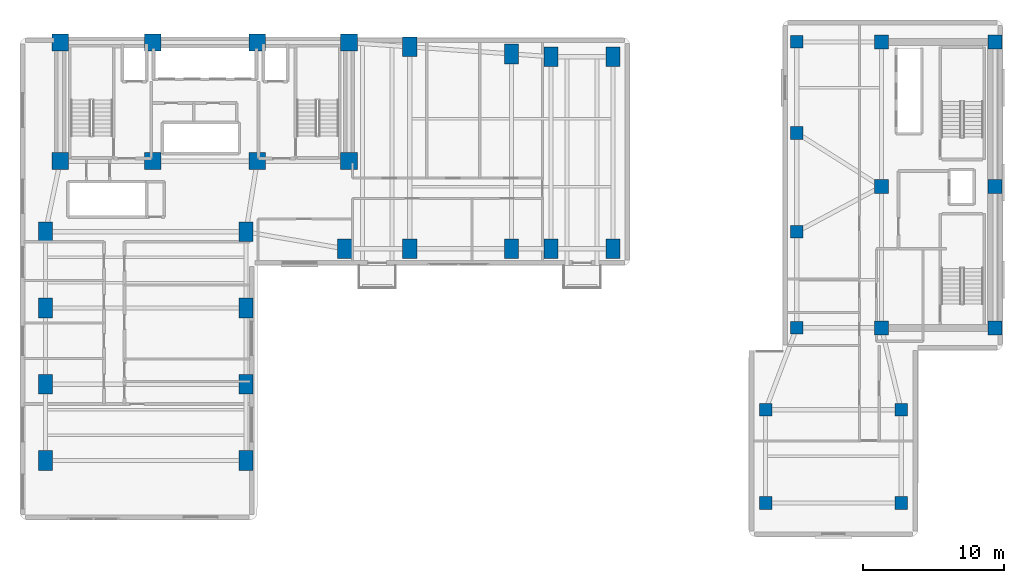
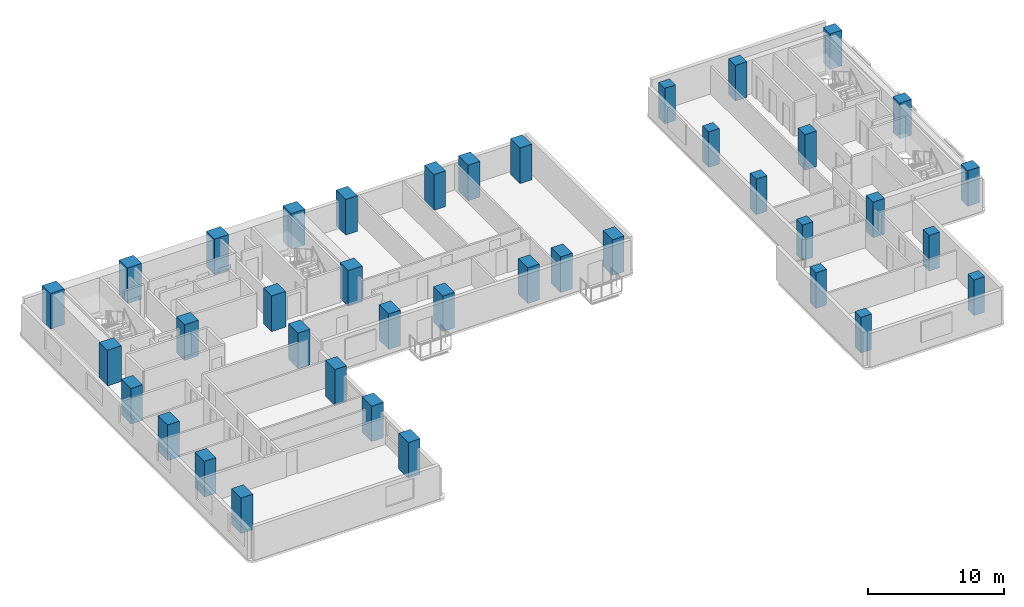
# One storey, part 1 of 14: 39 columns.
"""IFC4 building model written with IfcOpenShell, lengths in metres."""

from ifc_helpers import new_model, si_unit, direction, frame, origin, origin_2d, place, context, subcontext, project, spatial, rectangle, extrude, material, material_profile, profile_set, type_object, element, save


model = new_model("IFC4")

# Units and contexts
model_context = context("Model", 3, precision=1e-05, world=origin(), true_north=direction((0.0, 1.0)))
body_context = subcontext(model_context, "Body", "Model", "MODEL_VIEW")
ifc_project = project(units=[si_unit("LENGTHUNIT", "METRE"), si_unit("AREAUNIT", "SQUARE_METRE"), si_unit("VOLUMEUNIT", "CUBIC_METRE"), si_unit("PLANEANGLEUNIT", "RADIAN"), si_unit("MASSUNIT", "GRAM", prefix="KILO")], contexts=[model_context])

# Site, building, storey
site_placement = place(None, origin())
site = spatial("IfcSite", under=ifc_project, at=site_placement, CompositionType="ELEMENT")
building_placement = place(site_placement, origin())
building = spatial("IfcBuilding", under=site, at=building_placement, Name="Kuzgunbayir Cultural Tower", CompositionType="ELEMENT")
storey_placement = place(building_placement, frame((0.0, 0.0, 62.800048828125)))
storey = spatial("IfcBuildingStorey", under=building, at=storey_placement, Name="L17", CompositionType="ELEMENT", Elevation=62.800048828125)

# Columns
ifc_material = material(Name="Concrete C60/75", Category="concrete")
ifc_material_profile_1 = material_profile(ifc_material, rectangle(XDim=1.199951171875, YDim=1.199951171875, at=origin_2d()), Name="RC 1200x1200")
ifc_profile_set_1 = profile_set([ifc_material_profile_1], Name="Concrete C60/75")
column_type_1 = type_object("IfcColumnType", Name="COL-CORE-1200", PredefinedType="COLUMN", material=ifc_profile_set_1)
for number, where, z_axis, x_axis, name in (
    (1, (6.449951171875, 33.800048828125, 0.0), (0.0, 0.0, 1.0), (1.0, 0.0, 0.0), "L17 T1 Core Boundary Column CC1-1"),
    (2, (13.0, 33.800048828125, 0.0), (0.0, 0.0, 1.0), (1.0, 0.0, 0.0), "L17 T1 Core Boundary Column CC1-2"),
    (3, (20.39990234375, 33.800048828125, 0.0), (0.0, 0.0, 1.0), (1.0, 0.0, 0.0), "L17 T1 Core Boundary Column CC1-3"),
    (4, (26.89990234375, 33.800048828125, 0.0), (0.0, 0.0, 1.0), (1.0, 0.0, 0.0), "L17 T1 Core Boundary Column CC1-4"),
    (5, (6.449951171875, 42.199951171875, 0.0), (0.0, 0.0, 1.0), (1.0, 0.0, 0.0), "L17 T1 Core Boundary Column CC1-5"),
    (6, (13.0, 42.199951171875, 0.0), (0.0, 0.0, 1.0), (1.0, 0.0, 0.0), "L17 T1 Core Boundary Column CC1-6"),
    (7, (20.39990234375, 42.199951171875, 0.0), (0.0, 0.0, 1.0), (1.0, 0.0, 0.0), "L17 T1 Core Boundary Column CC1-7"),
    (8, (26.89990234375, 42.199951171875, 0.0), (0.0, 0.0, 1.0), (1.0, 0.0, 0.0), "L17 T1 Core Boundary Column CC1-8"),
):
    element("IfcColumn", number, at=place(storey_placement, frame(where, z_axis=z_axis, x_axis=x_axis)), inside=storey, type_object=column_type_1, Name=name, PredefinedType="COLUMN", context=body_context, shape_type="SweptSolid", body=[
        extrude(rectangle(XDim=1.199951171875, YDim=1.199951171875, at=origin_2d()), origin(), (0.0, 0.0, 1.0), 3.199951171875),
    ])
ifc_material_profile_2 = material_profile(ifc_material, rectangle(XDim=1.0, YDim=1.39990234375, at=origin_2d()), Name="RC 1400x1000")
ifc_profile_set_2 = profile_set([ifc_material_profile_2], Name="Concrete C60/75")
column_type_2 = type_object("IfcColumnType", Name="COL-T1-1400x1000", PredefinedType="COLUMN", material=ifc_profile_set_2)
for number, where, z_axis, x_axis, name in (
    (9, (5.39990234375, 12.60009765625, 0.0), (0.0, 0.0, 1.0), (1.0, 0.0, 0.0), "L17 Tower 1 Wing A Column T1A-W-1"),
    (10, (19.60009765625, 12.60009765625, 0.0), (0.0, 0.0, 1.0), (1.0, 0.0, 0.0), "L17 Tower 1 Wing A Column T1A-E-1"),
    (11, (5.39990234375, 18.0, 0.0), (0.0, 0.0, 1.0), (1.0, 0.0, 0.0), "L17 Tower 1 Wing A Column T1A-W-2"),
    (12, (19.60009765625, 18.0, 0.0), (0.0, 0.0, 1.0), (1.0, 0.0, 0.0), "L17 Tower 1 Wing A Column T1A-E-2"),
    (13, (5.39990234375, 23.39990234375, 0.0), (0.0, 0.0, 1.0), (1.0, 0.0, 0.0), "L17 Tower 1 Wing A Column T1A-W-3"),
    (14, (19.60009765625, 23.39990234375, 0.0), (0.0, 0.0, 1.0), (1.0, 0.0, 0.0), "L17 Tower 1 Wing A Column T1A-E-3"),
    (15, (5.39990234375, 28.800048828125, 0.0), (0.0, 0.0, 1.0), (1.0, 0.0, 0.0), "L17 Tower 1 Wing A Column T1A-W-4"),
    (16, (19.60009765625, 28.800048828125, 0.0), (0.0, 0.0, 1.0), (1.0, 0.0, 0.0), "L17 Tower 1 Wing A Column T1A-E-4"),
    (17, (26.60009765625, 27.60009765625, 0.0), (0.0, 0.0, 1.0), (1.0, 0.0, 0.0), "L17 Tower 1 Wing B Column T1B-1-1"),
    (18, (31.199951171875, 27.60009765625, 0.0), (0.0, 0.0, 1.0), (1.0, 0.0, 0.0), "L17 Tower 1 Wing B Column T1B-2-1"),
    (19, (31.199951171875, 41.89990234375, 0.0), (0.0, 0.0, 1.0), (1.0, 0.0, 0.0), "L17 Tower 1 Wing B Column T1B-2-2"),
    (20, (38.39990234375, 27.60009765625, 0.0), (0.0, 0.0, 1.0), (1.0, 0.0, 0.0), "L17 Tower 1 Wing B Column T1B-3-1"),
    (21, (38.39990234375, 41.39990234375, 0.0), (0.0, 0.0, 1.0), (1.0, 0.0, 0.0), "L17 Tower 1 Wing B Column T1B-3-2"),
    (22, (41.199951171875, 27.60009765625, 0.0), (0.0, 0.0, 1.0), (1.0, 0.0, 0.0), "L17 Tower 1 Wing B Column T1B-4-1"),
    (23, (41.199951171875, 41.199951171875, 0.0), (0.0, 0.0, 1.0), (1.0, 0.0, 0.0), "L17 Tower 1 Wing B Column T1B-4-2"),
    (24, (45.60009765625, 27.60009765625, 0.0), (0.0, 0.0, 1.0), (1.0, 0.0, 0.0), "L17 Tower 1 Wing B Column T1B-5-1"),
    (25, (45.60009765625, 41.199951171875, 0.0), (0.0, 0.0, 1.0), (1.0, 0.0, 0.0), "L17 Tower 1 Wing B Column T1B-5-2"),
):
    element("IfcColumn", number, at=place(storey_placement, frame(where, z_axis=z_axis, x_axis=x_axis)), inside=storey, type_object=column_type_2, Name=name, PredefinedType="COLUMN", context=body_context, shape_type="SweptSolid", body=[
        extrude(rectangle(XDim=1.0, YDim=1.39990234375, at=origin_2d()), origin(), (0.0, 0.0, 1.0), 3.199951171875),
    ])
ifc_material_profile_3 = material_profile(ifc_material, rectangle(XDim=1.0, YDim=1.0, at=origin_2d()), Name="RC 1000x1000")
ifc_profile_set_3 = profile_set([ifc_material_profile_3], Name="Concrete C60/75")
column_type_3 = type_object("IfcColumnType", Name="COL-T2-1000", PredefinedType="COLUMN", material=ifc_profile_set_3)
for number, where, z_axis, x_axis, name in (
    (26, (64.60009765625, 22.0, 0.0), (0.0, 0.0, 1.0), (1.0, 0.0, 0.0), "L17 T2 Core Boundary Column CC2-1"),
    (27, (72.64990234375, 22.0, 0.0), (0.0, 0.0, 1.0), (1.0, 0.0, 0.0), "L17 T2 Core Boundary Column CC2-2"),
    (28, (64.60009765625, 32.0, 0.0), (0.0, 0.0, 1.0), (1.0, 0.0, 0.0), "L17 T2 Core Boundary Column CC2-3"),
    (29, (72.64990234375, 32.0, 0.0), (0.0, 0.0, 1.0), (1.0, 0.0, 0.0), "L17 T2 Core Boundary Column CC2-4"),
    (30, (64.60009765625, 42.25, 0.0), (0.0, 0.0, 1.0), (1.0, 0.0, 0.0), "L17 T2 Core Boundary Column CC2-5"),
    (31, (72.64990234375, 42.25, 0.0), (0.0, 0.0, 1.0), (1.0, 0.0, 0.0), "L17 T2 Core Boundary Column CC2-6"),
):
    element("IfcColumn", number, at=place(storey_placement, frame(where, z_axis=z_axis, x_axis=x_axis)), inside=storey, type_object=column_type_3, Name=name, PredefinedType="COLUMN", context=body_context, shape_type="SweptSolid", body=[
        extrude(rectangle(XDim=1.0, YDim=1.0, at=origin_2d()), origin(), (0.0, 0.0, 1.0), 3.199951171875),
    ])
ifc_material_profile_4 = material_profile(ifc_material, rectangle(XDim=0.89990234375, YDim=0.89990234375, at=origin_2d()), Name="RC 900x900")
ifc_profile_set_4 = profile_set([ifc_material_profile_4], Name="Concrete C60/75")
column_type_4 = type_object("IfcColumnType", Name="COL-T2-900", PredefinedType="COLUMN", material=ifc_profile_set_4)
for number, where, z_axis, x_axis, name in (
    (32, (58.60009765625, 22.0, 0.0), (0.0, 0.0, 1.0), (1.0, 0.0, 0.0), "L17 Companion Wing A Column T2A-W-1"),
    (33, (58.60009765625, 28.800048828125, 0.0), (0.0, 0.0, 1.0), (1.0, 0.0, 0.0), "L17 Companion Wing A Column T2A-W-2"),
    (34, (58.60009765625, 35.800048828125, 0.0), (0.0, 0.0, 1.0), (1.0, 0.0, 0.0), "L17 Companion Wing A Column T2A-W-3"),
    (35, (58.60009765625, 42.25, 0.0), (0.0, 0.0, 1.0), (1.0, 0.0, 0.0), "L17 Companion Wing A Column T2A-W-4"),
    (36, (56.39990234375, 9.60009765625, 0.0), (0.0, 0.0, 1.0), (1.0, 0.0, 0.0), "L17 Companion Wing B Column T2B-1-1"),
    (37, (56.39990234375, 16.199951171875, 0.0), (0.0, 0.0, 1.0), (1.0, 0.0, 0.0), "L17 Companion Wing B Column T2B-1-2"),
    (38, (66.0, 9.60009765625, 0.0), (0.0, 0.0, 1.0), (1.0, 0.0, 0.0), "L17 Companion Wing B Column T2B-2-1"),
    (39, (66.0, 16.199951171875, 0.0), (0.0, 0.0, 1.0), (1.0, 0.0, 0.0), "L17 Companion Wing B Column T2B-2-2"),
):
    element("IfcColumn", number, at=place(storey_placement, frame(where, z_axis=z_axis, x_axis=x_axis)), inside=storey, type_object=column_type_4, Name=name, PredefinedType="COLUMN", context=body_context, shape_type="SweptSolid", body=[
        extrude(rectangle(XDim=0.89990234375, YDim=0.89990234375, at=origin_2d()), origin(), (0.0, 0.0, 1.0), 3.199951171875),
    ])

save(model, "model.ifc")
